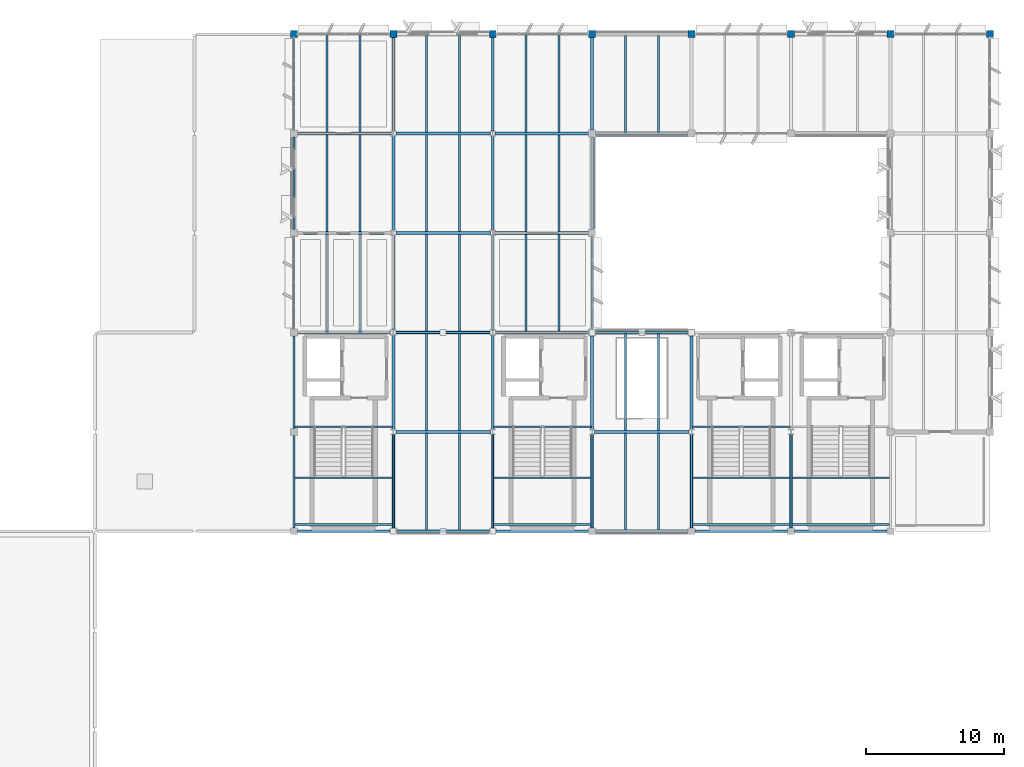
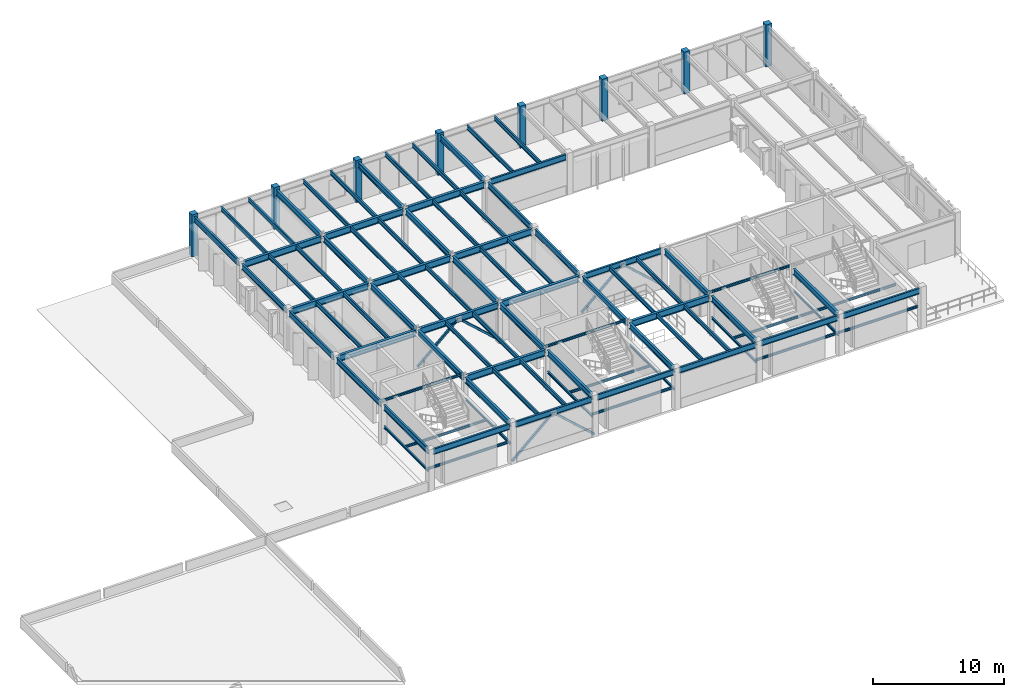
# One storey, part 3 of 23: 87 beams, 8 columns, 6 members.
"""IFC4 building model written with IfcOpenShell, lengths in metres."""

from ifc_helpers import new_model, si_unit, direction, frame, origin, origin_2d, place, context, subcontext, project, spatial, rectangle, hollow_rectangle, i_section, extrude, material, material_profile, profile_set, type_object, element, save


model = new_model("IFC4")

# Units and contexts
model_context = context("Model", 3, precision=1e-05, world=origin(), true_north=direction((0.0, 1.0)))
body_context = subcontext(model_context, "Body", "Model", "MODEL_VIEW")
ifc_project = project(units=[si_unit("LENGTHUNIT", "METRE"), si_unit("AREAUNIT", "SQUARE_METRE"), si_unit("VOLUMEUNIT", "CUBIC_METRE"), si_unit("PLANEANGLEUNIT", "RADIAN"), si_unit("MASSUNIT", "GRAM", prefix="KILO")], contexts=[model_context])

# Site, building, storey
site_placement = place(None, origin())
site = spatial("IfcSite", under=ifc_project, at=site_placement, CompositionType="ELEMENT")
building_placement = place(site_placement, origin())
building = spatial("IfcBuilding", under=site, at=building_placement, Name="Sillqori Civic Hall", CompositionType="ELEMENT")
storey_placement = place(building_placement, frame((0.0, 0.0, 21.89990234375)))
storey = spatial("IfcBuildingStorey", under=building, at=storey_placement, Name="L06", CompositionType="ELEMENT", Elevation=21.89990234375)

# Columns
ifc_material_1 = material(Name="Concrete C35/45 (H35)", Category="concrete")
ifc_material_profile_1 = material_profile(ifc_material_1, rectangle(XDim=0.5, YDim=0.5, at=origin_2d()), Name="RC 500x500")
ifc_profile_set_1 = profile_set([ifc_material_profile_1], Name="Concrete C35/45 (H35)")
column_type = type_object("IfcColumnType", Name="COL-RC500", PredefinedType="COLUMN", material=ifc_profile_set_1)
for number, where, z_axis, x_axis, name in (
    (1, (50.39990234375, 115.199951171875, 0.0), (0.0, 0.0, 1.0), (1.0, 0.0, 0.0), "L06 column 7-16"),
    (2, (57.60009765625, 115.199951171875, 0.0), (0.0, 0.0, 1.0), (1.0, 0.0, 0.0), "L06 column 8-16"),
    (3, (64.800048828125, 115.199951171875, 0.0), (0.0, 0.0, 1.0), (1.0, 0.0, 0.0), "L06 column 9-16"),
    (4, (72.0, 115.199951171875, 0.0), (0.0, 0.0, 1.0), (1.0, 0.0, 0.0), "L06 column 10-16"),
    (5, (79.199951171875, 115.199951171875, 0.0), (0.0, 0.0, 1.0), (1.0, 0.0, 0.0), "L06 column 11-16"),
    (6, (86.39990234375, 115.199951171875, 0.0), (0.0, 0.0, 1.0), (1.0, 0.0, 0.0), "L06 column 12-16"),
    (7, (93.60009765625, 115.199951171875, 0.0), (0.0, 0.0, 1.0), (1.0, 0.0, 0.0), "L06 column 13-16"),
    (8, (100.800048828125, 115.199951171875, 0.0), (0.0, 0.0, 1.0), (1.0, 0.0, 0.0), "L06 column 14-16"),
):
    element("IfcColumn", number, at=place(storey_placement, frame(where, z_axis=z_axis, x_axis=x_axis)), inside=storey, type_object=column_type, Name=name, PredefinedType="COLUMN", context=body_context, shape_type="SweptSolid", body=[
        extrude(rectangle(XDim=0.5, YDim=0.5, at=origin_2d()), origin(), (0.0, 0.0, 1.0), 3.900146484375),
    ])

# Beams
ifc_material_2 = material(Name="Steel ASTM A992", Category="steel")
ifc_material_profile_2 = material_profile(ifc_material_2, i_section(OverallWidth=0.2099609375, OverallDepth=0.532958984375, WebThickness=0.01025390625, FlangeThickness=0.015625, FilletRadius=0.013916015625, at=origin_2d()), Name="W21X62")
ifc_profile_set_2 = profile_set([ifc_material_profile_2], Name="Steel ASTM A992")
beam_type_1 = type_object("IfcBeamType", Name="BM-W21X62", PredefinedType="BEAM", material=ifc_profile_set_2)
beam_1_placement = place(storey_placement, frame((57.60009765625, 79.444091796875, 3.45361328125), z_axis=(0.0, 1.0, 0.0), x_axis=(-1.0, 0.0, 0.0)))
element("IfcBeam", 9, at=beam_1_placement, inside=storey, type_object=beam_type_1, Name="L06 girder Y 8-11", PredefinedType="BEAM", context=body_context, shape_type="SweptSolid", body=[
    extrude(i_section(OverallWidth=0.2099609375, OverallDepth=0.532958984375, WebThickness=0.01025390625, FlangeThickness=0.015625, FilletRadius=0.013916015625, at=origin_2d()), origin(), (0.0, 0.0, 1.0), 6.781494140625),
])
for number, where, z_axis, x_axis, name in (
    (10, (57.60009765625, 86.574462890625, 3.45361328125), (0.0, 1.0, 0.0), (-1.0, 0.0, 0.0), "L06 girder Y 8-12"),
    (11, (57.60009765625, 93.7744140625, 3.43359375), (0.0, 1.0, 0.0), (-1.0, 0.0, 0.0), "L06 girder Y 8-13"),
):
    element("IfcBeam", number, at=place(storey_placement, frame(where, z_axis=z_axis, x_axis=x_axis)), inside=storey, type_object=beam_type_1, Name=name, PredefinedType="BEAM", context=body_context, shape_type="SweptSolid", body=[
        extrude(i_section(OverallWidth=0.2099609375, OverallDepth=0.532958984375, WebThickness=0.01025390625, FlangeThickness=0.015625, FilletRadius=0.013916015625, at=origin_2d()), origin(), (0.0, 0.0, 1.0), 6.85107421875),
    ])
beam_2_placement = place(storey_placement, frame((57.60009765625, 100.974609375, 3.43359375), z_axis=(0.0, 1.0, 0.0), x_axis=(-1.0, 0.0, 0.0)))
element("IfcBeam", 12, at=beam_2_placement, inside=storey, type_object=beam_type_1, Name="L06 girder Y 8-14", PredefinedType="BEAM", context=body_context, shape_type="SweptSolid", body=[
    extrude(i_section(OverallWidth=0.2099609375, OverallDepth=0.532958984375, WebThickness=0.01025390625, FlangeThickness=0.015625, FilletRadius=0.013916015625, at=origin_2d()), origin(), (0.0, 0.0, 1.0), 6.850830078125),
])
for number, where, z_axis, x_axis, name in (
    (13, (57.60009765625, 108.174560546875, 3.43359375), (0.0, 1.0, 0.0), (-1.0, 0.0, 0.0), "L06 girder Y 8-15"),
    (14, (64.800048828125, 79.444091796875, 3.45361328125), (0.0, 1.0, 0.0), (-1.0, 0.0, 0.0), "L06 girder Y 9-11"),
):
    element("IfcBeam", number, at=place(storey_placement, frame(where, z_axis=z_axis, x_axis=x_axis)), inside=storey, type_object=beam_type_1, Name=name, PredefinedType="BEAM", context=body_context, shape_type="SweptSolid", body=[
        extrude(i_section(OverallWidth=0.2099609375, OverallDepth=0.532958984375, WebThickness=0.01025390625, FlangeThickness=0.015625, FilletRadius=0.013916015625, at=origin_2d()), origin(), (0.0, 0.0, 1.0), 6.781494140625),
    ])
for number, where, z_axis, x_axis, name in (
    (15, (64.800048828125, 86.574462890625, 3.45361328125), (0.0, 1.0, 0.0), (-1.0, 0.0, 0.0), "L06 girder Y 9-12"),
    (16, (64.800048828125, 93.7744140625, 3.45361328125), (0.0, 1.0, 0.0), (-1.0, 0.0, 0.0), "L06 girder Y 9-13"),
):
    element("IfcBeam", number, at=place(storey_placement, frame(where, z_axis=z_axis, x_axis=x_axis)), inside=storey, type_object=beam_type_1, Name=name, PredefinedType="BEAM", context=body_context, shape_type="SweptSolid", body=[
        extrude(i_section(OverallWidth=0.2099609375, OverallDepth=0.532958984375, WebThickness=0.01025390625, FlangeThickness=0.015625, FilletRadius=0.013916015625, at=origin_2d()), origin(), (0.0, 0.0, 1.0), 6.85107421875),
    ])
beam_3_placement = place(storey_placement, frame((64.800048828125, 100.974609375, 3.45361328125), z_axis=(0.0, 1.0, 0.0), x_axis=(-1.0, 0.0, 0.0)))
element("IfcBeam", 17, at=beam_3_placement, inside=storey, type_object=beam_type_1, Name="L06 girder Y 9-14", PredefinedType="BEAM", context=body_context, shape_type="SweptSolid", body=[
    extrude(i_section(OverallWidth=0.2099609375, OverallDepth=0.532958984375, WebThickness=0.01025390625, FlangeThickness=0.015625, FilletRadius=0.013916015625, at=origin_2d()), origin(), (0.0, 0.0, 1.0), 6.850830078125),
])
for number, where, z_axis, x_axis, name in (
    (18, (64.800048828125, 108.174560546875, 3.45361328125), (0.0, 1.0, 0.0), (-1.0, 0.0, 0.0), "L06 girder Y 9-15"),
    (19, (72.0, 79.444091796875, 3.45361328125), (0.0, 1.0, 0.0), (-1.0, 0.0, 0.0), "L06 girder Y 10-11"),
    (20, (72.0, 86.574462890625, 3.45361328125), (0.0, 1.0, 0.0), (-1.0, 0.0, 0.0), "L06 girder Y 10-12"),
):
    element("IfcBeam", number, at=place(storey_placement, frame(where, z_axis=z_axis, x_axis=x_axis)), inside=storey, type_object=beam_type_1, Name=name, PredefinedType="BEAM", context=body_context, shape_type="SweptSolid", body=[
        extrude(i_section(OverallWidth=0.2099609375, OverallDepth=0.532958984375, WebThickness=0.01025390625, FlangeThickness=0.015625, FilletRadius=0.013916015625, at=origin_2d()), origin(), (0.0, 0.0, 1.0), 6.781494140625),
    ])
beam_4_placement = place(storey_placement, frame((72.0, 108.243896484375, 3.45361328125), z_axis=(0.0, 1.0, 0.0), x_axis=(-1.0, 0.0, 0.0)))
element("IfcBeam", 21, at=beam_4_placement, inside=storey, type_object=beam_type_1, Name="L06 girder Y 10-15", PredefinedType="BEAM", context=body_context, shape_type="SweptSolid", body=[
    extrude(i_section(OverallWidth=0.2099609375, OverallDepth=0.532958984375, WebThickness=0.01025390625, FlangeThickness=0.015625, FilletRadius=0.013916015625, at=origin_2d()), origin(), (0.0, 0.0, 1.0), 6.712158203125),
])
for number, where, z_axis, x_axis, name in (
    (22, (79.199951171875, 79.444091796875, 3.45361328125), (0.0, 1.0, 0.0), (-1.0, 0.0, 0.0), "L06 girder Y 11-11"),
    (23, (79.199951171875, 86.574462890625, 3.45361328125), (0.0, 1.0, 0.0), (-1.0, 0.0, 0.0), "L06 girder Y 11-12"),
    (24, (86.39990234375, 79.444091796875, 3.45361328125), (0.0, 1.0, 0.0), (-1.0, 0.0, 0.0), "L06 girder Y 12-11"),
):
    element("IfcBeam", number, at=place(storey_placement, frame(where, z_axis=z_axis, x_axis=x_axis)), inside=storey, type_object=beam_type_1, Name=name, PredefinedType="BEAM", context=body_context, shape_type="SweptSolid", body=[
        extrude(i_section(OverallWidth=0.2099609375, OverallDepth=0.532958984375, WebThickness=0.01025390625, FlangeThickness=0.015625, FilletRadius=0.013916015625, at=origin_2d()), origin(), (0.0, 0.0, 1.0), 6.781494140625),
    ])
ifc_material_profile_3 = material_profile(ifc_material_2, i_section(OverallWidth=0.22802734375, OverallDepth=0.60205078125, WebThickness=0.010498046875, FlangeThickness=0.014892578125, FilletRadius=0.014892578125, at=origin_2d()), Name="W24X68")
ifc_profile_set_3 = profile_set([ifc_material_profile_3], Name="Steel ASTM A992")
beam_type_2 = type_object("IfcBeamType", Name="BM-W24X68", PredefinedType="BEAM", material=ifc_profile_set_3)
for number, where, z_axis, x_axis, name in (
    (25, (50.64404296875, 93.60009765625, 3.399169921875), (1.0, 0.0, 0.0), (0.0, 1.0, 0.0), "L06 girder X 7-13"),
    (26, (50.64404296875, 100.800048828125, 3.399169921875), (1.0, 0.0, 0.0), (0.0, 1.0, 0.0), "L06 girder X 7-14"),
    (27, (50.64404296875, 108.0, 3.399169921875), (1.0, 0.0, 0.0), (0.0, 1.0, 0.0), "L06 girder X 7-15"),
):
    element("IfcBeam", number, at=place(storey_placement, frame(where, z_axis=z_axis, x_axis=x_axis)), inside=storey, type_object=beam_type_2, Name=name, PredefinedType="BEAM", context=body_context, shape_type="SweptSolid", body=[
        extrude(i_section(OverallWidth=0.22802734375, OverallDepth=0.60205078125, WebThickness=0.010498046875, FlangeThickness=0.014892578125, FilletRadius=0.014892578125, at=origin_2d()), origin(), (0.0, 0.0, 1.0), 6.7763671875),
    ])
for number, where, z_axis, x_axis, name in (
    (28, (57.779541015625, 86.39990234375, 3.419189453125), (1.0, 0.0, 0.0), (0.0, 1.0, 0.0), "L06 girder X 8-12"),
    (29, (57.779541015625, 93.60009765625, 3.419189453125), (1.0, 0.0, 0.0), (0.0, 1.0, 0.0), "L06 girder X 8-13"),
    (30, (57.779541015625, 100.800048828125, 3.419189453125), (1.0, 0.0, 0.0), (0.0, 1.0, 0.0), "L06 girder X 8-14"),
    (31, (57.779541015625, 108.0, 3.419189453125), (1.0, 0.0, 0.0), (0.0, 1.0, 0.0), "L06 girder X 8-15"),
):
    element("IfcBeam", number, at=place(storey_placement, frame(where, z_axis=z_axis, x_axis=x_axis)), inside=storey, type_object=beam_type_2, Name=name, PredefinedType="BEAM", context=body_context, shape_type="SweptSolid", body=[
        extrude(i_section(OverallWidth=0.22802734375, OverallDepth=0.60205078125, WebThickness=0.010498046875, FlangeThickness=0.014892578125, FilletRadius=0.014892578125, at=origin_2d()), origin(), (0.0, 0.0, 1.0), 6.841064453125),
    ])
for number, where, z_axis, x_axis, name in (
    (32, (64.9794921875, 93.60009765625, 3.419189453125), (1.0, 0.0, 0.0), (0.0, 1.0, 0.0), "L06 girder X 9-13"),
    (33, (64.9794921875, 100.800048828125, 3.419189453125), (1.0, 0.0, 0.0), (0.0, 1.0, 0.0), "L06 girder X 9-14"),
    (34, (64.9794921875, 108.0, 3.419189453125), (1.0, 0.0, 0.0), (0.0, 1.0, 0.0), "L06 girder X 9-15"),
):
    element("IfcBeam", number, at=place(storey_placement, frame(where, z_axis=z_axis, x_axis=x_axis)), inside=storey, type_object=beam_type_2, Name=name, PredefinedType="BEAM", context=body_context, shape_type="SweptSolid", body=[
        extrude(i_section(OverallWidth=0.22802734375, OverallDepth=0.60205078125, WebThickness=0.010498046875, FlangeThickness=0.014892578125, FilletRadius=0.014892578125, at=origin_2d()), origin(), (0.0, 0.0, 1.0), 6.776611328125),
    ])
beam_5_placement = place(storey_placement, frame((72.179443359375, 86.39990234375, 3.419189453125), z_axis=(1.0, 0.0, 0.0), x_axis=(0.0, 1.0, 0.0)))
element("IfcBeam", 35, at=beam_5_placement, inside=storey, type_object=beam_type_2, Name="L06 girder X 10-12", PredefinedType="BEAM", context=body_context, shape_type="SweptSolid", body=[
    extrude(i_section(OverallWidth=0.22802734375, OverallDepth=0.60205078125, WebThickness=0.010498046875, FlangeThickness=0.014892578125, FilletRadius=0.014892578125, at=origin_2d()), origin(), (0.0, 0.0, 1.0), 6.841064453125),
])

# Members
ifc_material_3 = material(Name="Steel ASTM A500 Grade C", Category="steel")
ifc_material_profile_4 = material_profile(ifc_material_3, hollow_rectangle(XDim=0.179931640625, YDim=0.179931640625, WallThickness=0.008056640625, InnerFilletRadius=0.008056640625, OuterFilletRadius=0.01611328125, at=origin_2d()), Name="HSS180X180X8")
ifc_profile_set_4 = profile_set([ifc_material_profile_4], Name="Steel ASTM A500 Grade C")
member_type = type_object("IfcMemberType", Name="BR-HSS180", PredefinedType="BRACE", material=ifc_profile_set_4)
member_1_placement = place(storey_placement, frame((57.60009765625, 79.199951171875, 0.150146484375), z_axis=(0.742254478498, 0.0, 0.67011811582), x_axis=(0.0, 1.0, 0.0)))
element("IfcMember", 36, at=member_1_placement, inside=storey, type_object=member_type, Name="L06 seismic chevron brace L X11-8", PredefinedType="BRACE", context=body_context, shape_type="SweptSolid", body=[
    extrude(hollow_rectangle(XDim=0.179931640625, YDim=0.179931640625, WallThickness=0.008056640625, InnerFilletRadius=0.008056640625, OuterFilletRadius=0.01611328125, at=origin_2d()), origin(), (0.0, 0.0, 1.0), 4.849853515625),
])
member_2_placement = place(storey_placement, frame((64.800048828125, 79.199951171875, 0.150146484375), z_axis=(-0.742277082557, 0.0, 0.670093077648), x_axis=(0.0, -1.0, 0.0)))
element("IfcMember", 37, at=member_2_placement, inside=storey, type_object=member_type, Name="L06 seismic chevron brace R X11-8", PredefinedType="BRACE", context=body_context, shape_type="SweptSolid", body=[
    extrude(hollow_rectangle(XDim=0.179931640625, YDim=0.179931640625, WallThickness=0.008056640625, InnerFilletRadius=0.008056640625, OuterFilletRadius=0.01611328125, at=origin_2d()), origin(), (0.0, 0.0, 1.0), 4.85009765625),
])
member_3_placement = place(storey_placement, frame((57.60009765625, 93.60009765625, 0.150146484375), z_axis=(0.742254478498, 0.0, 0.67011811582), x_axis=(0.0, 1.0, 0.0)))
element("IfcMember", 38, at=member_3_placement, inside=storey, type_object=member_type, Name="L06 seismic chevron brace L X13-8", PredefinedType="BRACE", context=body_context, shape_type="SweptSolid", body=[
    extrude(hollow_rectangle(XDim=0.179931640625, YDim=0.179931640625, WallThickness=0.008056640625, InnerFilletRadius=0.008056640625, OuterFilletRadius=0.01611328125, at=origin_2d()), origin(), (0.0, 0.0, 1.0), 4.849853515625),
])
for number, where, z_axis, x_axis, name in (
    (39, (64.800048828125, 93.60009765625, 0.150146484375), (-0.742277082557, 0.0, 0.670093077648), (0.0, -1.0, 0.0), "L06 seismic chevron brace R X13-8"),
    (40, (72.0, 93.60009765625, 0.150146484375), (0.742277082557, 0.0, 0.670093077648), (0.0, 1.0, 0.0), "L06 seismic chevron brace L X13-10"),
):
    element("IfcMember", number, at=place(storey_placement, frame(where, z_axis=z_axis, x_axis=x_axis)), inside=storey, type_object=member_type, Name=name, PredefinedType="BRACE", context=body_context, shape_type="SweptSolid", body=[
        extrude(hollow_rectangle(XDim=0.179931640625, YDim=0.179931640625, WallThickness=0.008056640625, InnerFilletRadius=0.008056640625, OuterFilletRadius=0.01611328125, at=origin_2d()), origin(), (0.0, 0.0, 1.0), 4.85009765625),
    ])
member_4_placement = place(storey_placement, frame((79.199951171875, 93.60009765625, 0.150146484375), z_axis=(-0.742254478498, 0.0, 0.67011811582), x_axis=(0.0, -1.0, 0.0)))
element("IfcMember", 41, at=member_4_placement, inside=storey, type_object=member_type, Name="L06 seismic chevron brace R X13-10", PredefinedType="BRACE", context=body_context, shape_type="SweptSolid", body=[
    extrude(hollow_rectangle(XDim=0.179931640625, YDim=0.179931640625, WallThickness=0.008056640625, InnerFilletRadius=0.008056640625, OuterFilletRadius=0.01611328125, at=origin_2d()), origin(), (0.0, 0.0, 1.0), 4.849853515625),
])

# Beams
ifc_material_profile_5 = material_profile(ifc_material_2, i_section(OverallWidth=0.139892578125, OverallDepth=0.39892578125, WebThickness=0.00634765625, FlangeThickness=0.0087890625, FilletRadius=0.011962890625, at=origin_2d()), Name="W16X26")
ifc_profile_set_5 = profile_set([ifc_material_profile_5], Name="Steel ASTM A992")
beam_type_3 = type_object("IfcBeamType", Name="JS-W16X26", PredefinedType="JOIST", material=ifc_profile_set_5)
for number, where, z_axis, x_axis, name in (
    (42, (52.800048828125, 93.695068359375, 3.50048828125), (0.0, 1.0, 0.0), (-1.0, 0.0, 0.0), "L06 composite joist 7-13.1"),
    (43, (55.199951171875, 93.695068359375, 3.50048828125), (0.0, 1.0, 0.0), (-1.0, 0.0, 0.0), "L06 composite joist 7-13.2"),
    (44, (52.800048828125, 100.89501953125, 3.50048828125), (0.0, 1.0, 0.0), (-1.0, 0.0, 0.0), "L06 composite joist 7-14.1"),
    (45, (55.199951171875, 100.89501953125, 3.50048828125), (0.0, 1.0, 0.0), (-1.0, 0.0, 0.0), "L06 composite joist 7-14.2"),
    (46, (52.800048828125, 108.094970703125, 3.50048828125), (0.0, 1.0, 0.0), (-1.0, 0.0, 0.0), "L06 composite joist 7-15.1"),
    (47, (55.199951171875, 108.094970703125, 3.50048828125), (0.0, 1.0, 0.0), (-1.0, 0.0, 0.0), "L06 composite joist 7-15.2"),
    (48, (60.0, 79.294921875, 3.5205078125), (0.0, 1.0, 0.0), (-1.0, 0.0, 0.0), "L06 composite joist 8-11.1"),
    (49, (62.39990234375, 79.294921875, 3.5205078125), (0.0, 1.0, 0.0), (-1.0, 0.0, 0.0), "L06 composite joist 8-11.2"),
):
    element("IfcBeam", number, at=place(storey_placement, frame(where, z_axis=z_axis, x_axis=x_axis)), inside=storey, type_object=beam_type_3, Name=name, PredefinedType="JOIST", context=body_context, shape_type="SweptSolid", body=[
        extrude(i_section(OverallWidth=0.139892578125, OverallDepth=0.39892578125, WebThickness=0.00634765625, FlangeThickness=0.0087890625, FilletRadius=0.011962890625, at=origin_2d()), origin(), (0.0, 0.0, 1.0), 7.010009765625),
    ])
for number, where, z_axis, x_axis, name in (
    (50, (60.0, 86.4951171875, 3.5205078125), (0.0, 1.0, 0.0), (-1.0, 0.0, 0.0), "L06 composite joist 8-12.1"),
    (51, (62.39990234375, 86.4951171875, 3.5205078125), (0.0, 1.0, 0.0), (-1.0, 0.0, 0.0), "L06 composite joist 8-12.2"),
):
    element("IfcBeam", number, at=place(storey_placement, frame(where, z_axis=z_axis, x_axis=x_axis)), inside=storey, type_object=beam_type_3, Name=name, PredefinedType="JOIST", context=body_context, shape_type="SweptSolid", body=[
        extrude(i_section(OverallWidth=0.139892578125, OverallDepth=0.39892578125, WebThickness=0.00634765625, FlangeThickness=0.0087890625, FilletRadius=0.011962890625, at=origin_2d()), origin(), (0.0, 0.0, 1.0), 7.009765625),
    ])
for number, where, z_axis, x_axis, name in (
    (52, (60.0, 93.695068359375, 3.5205078125), (0.0, 1.0, 0.0), (-1.0, 0.0, 0.0), "L06 composite joist 8-13.1"),
    (53, (62.39990234375, 93.695068359375, 3.5205078125), (0.0, 1.0, 0.0), (-1.0, 0.0, 0.0), "L06 composite joist 8-13.2"),
    (54, (60.0, 100.89501953125, 3.5205078125), (0.0, 1.0, 0.0), (-1.0, 0.0, 0.0), "L06 composite joist 8-14.1"),
    (55, (62.39990234375, 100.89501953125, 3.5205078125), (0.0, 1.0, 0.0), (-1.0, 0.0, 0.0), "L06 composite joist 8-14.2"),
    (56, (60.0, 108.094970703125, 3.5205078125), (0.0, 1.0, 0.0), (-1.0, 0.0, 0.0), "L06 composite joist 8-15.1"),
    (57, (62.39990234375, 108.094970703125, 3.5205078125), (0.0, 1.0, 0.0), (-1.0, 0.0, 0.0), "L06 composite joist 8-15.2"),
    (58, (67.199951171875, 93.695068359375, 3.5205078125), (0.0, 1.0, 0.0), (-1.0, 0.0, 0.0), "L06 composite joist 9-13.1"),
    (59, (69.60009765625, 93.695068359375, 3.5205078125), (0.0, 1.0, 0.0), (-1.0, 0.0, 0.0), "L06 composite joist 9-13.2"),
    (60, (67.199951171875, 100.89501953125, 3.5205078125), (0.0, 1.0, 0.0), (-1.0, 0.0, 0.0), "L06 composite joist 9-14.1"),
    (61, (69.60009765625, 100.89501953125, 3.5205078125), (0.0, 1.0, 0.0), (-1.0, 0.0, 0.0), "L06 composite joist 9-14.2"),
    (62, (67.199951171875, 108.094970703125, 3.5205078125), (0.0, 1.0, 0.0), (-1.0, 0.0, 0.0), "L06 composite joist 9-15.1"),
    (63, (69.60009765625, 108.094970703125, 3.5205078125), (0.0, 1.0, 0.0), (-1.0, 0.0, 0.0), "L06 composite joist 9-15.2"),
    (64, (74.39990234375, 79.294921875, 3.5205078125), (0.0, 1.0, 0.0), (-1.0, 0.0, 0.0), "L06 composite joist 10-11.1"),
    (65, (76.800048828125, 79.294921875, 3.5205078125), (0.0, 1.0, 0.0), (-1.0, 0.0, 0.0), "L06 composite joist 10-11.2"),
):
    element("IfcBeam", number, at=place(storey_placement, frame(where, z_axis=z_axis, x_axis=x_axis)), inside=storey, type_object=beam_type_3, Name=name, PredefinedType="JOIST", context=body_context, shape_type="SweptSolid", body=[
        extrude(i_section(OverallWidth=0.139892578125, OverallDepth=0.39892578125, WebThickness=0.00634765625, FlangeThickness=0.0087890625, FilletRadius=0.011962890625, at=origin_2d()), origin(), (0.0, 0.0, 1.0), 7.010009765625),
    ])
for number, where, z_axis, x_axis, name in (
    (66, (74.39990234375, 86.4951171875, 3.5205078125), (0.0, 1.0, 0.0), (-1.0, 0.0, 0.0), "L06 composite joist 10-12.1"),
    (67, (76.800048828125, 86.4951171875, 3.5205078125), (0.0, 1.0, 0.0), (-1.0, 0.0, 0.0), "L06 composite joist 10-12.2"),
):
    element("IfcBeam", number, at=place(storey_placement, frame(where, z_axis=z_axis, x_axis=x_axis)), inside=storey, type_object=beam_type_3, Name=name, PredefinedType="JOIST", context=body_context, shape_type="SweptSolid", body=[
        extrude(i_section(OverallWidth=0.139892578125, OverallDepth=0.39892578125, WebThickness=0.00634765625, FlangeThickness=0.0087890625, FilletRadius=0.011962890625, at=origin_2d()), origin(), (0.0, 0.0, 1.0), 7.009765625),
    ])
for number, where, z_axis, x_axis, name in (
    (68, (74.39990234375, 108.094970703125, 3.5205078125), (0.0, 1.0, 0.0), (-1.0, 0.0, 0.0), "L06 composite joist 10-15.1"),
    (69, (76.800048828125, 108.094970703125, 3.5205078125), (0.0, 1.0, 0.0), (-1.0, 0.0, 0.0), "L06 composite joist 10-15.2"),
):
    element("IfcBeam", number, at=place(storey_placement, frame(where, z_axis=z_axis, x_axis=x_axis)), inside=storey, type_object=beam_type_3, Name=name, PredefinedType="JOIST", context=body_context, shape_type="SweptSolid", body=[
        extrude(i_section(OverallWidth=0.139892578125, OverallDepth=0.39892578125, WebThickness=0.00634765625, FlangeThickness=0.0087890625, FilletRadius=0.011962890625, at=origin_2d()), origin(), (0.0, 0.0, 1.0), 7.010009765625),
    ])
ifc_material_profile_6 = material_profile(ifc_material_2, i_section(OverallWidth=0.133056640625, OverallDepth=0.20703125, WebThickness=0.005859375, FlangeThickness=0.00830078125, FilletRadius=0.008056640625, at=origin_2d()), Name="W8X18")
ifc_profile_set_6 = profile_set([ifc_material_profile_6], Name="Steel ASTM A992")
beam_type_4 = type_object("IfcBeamType", Name="LN-W8X18", PredefinedType="LINTEL", material=ifc_profile_set_6)
beam_6_placement = place(storey_placement, frame((50.39990234375, 79.444091796875, 1.632568359375), z_axis=(0.0, 1.0, 0.0), x_axis=(-1.0, 0.0, 0.0)))
element("IfcBeam", 70, at=beam_6_placement, inside=storey, type_object=beam_type_4, Name="L06 grid 7 stair landing stringer 1", PredefinedType="LINTEL", context=body_context, shape_type="SweptSolid", body=[
    extrude(i_section(OverallWidth=0.133056640625, OverallDepth=0.20703125, WebThickness=0.005859375, FlangeThickness=0.00830078125, FilletRadius=0.008056640625, at=origin_2d()), origin(), (0.0, 0.0, 1.0), 6.7119140625),
])
beam_7_placement = place(storey_placement, frame((57.60009765625, 79.444091796875, 1.632568359375), z_axis=(0.0, 1.0, 0.0), x_axis=(-1.0, 0.0, 0.0)))
element("IfcBeam", 71, at=beam_7_placement, inside=storey, type_object=beam_type_4, Name="L06 grid 8 stair landing stringer 1", PredefinedType="LINTEL", context=body_context, shape_type="SweptSolid", body=[
    extrude(i_section(OverallWidth=0.133056640625, OverallDepth=0.20703125, WebThickness=0.005859375, FlangeThickness=0.00830078125, FilletRadius=0.008056640625, at=origin_2d()), origin(), (0.0, 0.0, 1.0), 6.781494140625),
])
for number, where, z_axis, x_axis, name in (
    (72, (50.449951171875, 79.695068359375, 1.632568359375), (1.0, 0.0, 0.0), (0.0, 1.0, 0.0), "L06 C5 stair half-landing steel ledger 1.1"),
    (73, (50.449951171875, 83.070068359375, 1.632568359375), (1.0, 0.0, 0.0), (0.0, 1.0, 0.0), "L06 C5 stair half-landing steel ledger 1.2"),
    (74, (50.449951171875, 86.77001953125, 3.62255859375), (1.0, 0.0, 0.0), (0.0, 1.0, 0.0), "L06 C5 stair upper arrival steel trimmer"),
):
    element("IfcBeam", number, at=place(storey_placement, frame(where, z_axis=z_axis, x_axis=x_axis)), inside=storey, type_object=beam_type_4, Name=name, PredefinedType="LINTEL", context=body_context, shape_type="SweptSolid", body=[
        extrude(i_section(OverallWidth=0.133056640625, OverallDepth=0.20703125, WebThickness=0.005859375, FlangeThickness=0.00830078125, FilletRadius=0.008056640625, at=origin_2d()), origin(), (0.0, 0.0, 1.0), 7.10009765625),
    ])
for number, where, z_axis, x_axis, name in (
    (75, (64.800048828125, 79.444091796875, 1.632568359375), (0.0, 1.0, 0.0), (-1.0, 0.0, 0.0), "L06 grid 9 stair landing stringer 1"),
    (76, (72.0, 79.444091796875, 1.632568359375), (0.0, 1.0, 0.0), (-1.0, 0.0, 0.0), "L06 grid 10 stair landing stringer 1"),
):
    element("IfcBeam", number, at=place(storey_placement, frame(where, z_axis=z_axis, x_axis=x_axis)), inside=storey, type_object=beam_type_4, Name=name, PredefinedType="LINTEL", context=body_context, shape_type="SweptSolid", body=[
        extrude(i_section(OverallWidth=0.133056640625, OverallDepth=0.20703125, WebThickness=0.005859375, FlangeThickness=0.00830078125, FilletRadius=0.008056640625, at=origin_2d()), origin(), (0.0, 0.0, 1.0), 6.781494140625),
    ])
for number, where, z_axis, x_axis, name in (
    (77, (64.85009765625, 79.695068359375, 1.632568359375), (1.0, 0.0, 0.0), (0.0, 1.0, 0.0), "L06 C6 stair half-landing steel ledger 1.1"),
    (78, (64.85009765625, 83.070068359375, 1.632568359375), (1.0, 0.0, 0.0), (0.0, 1.0, 0.0), "L06 C6 stair half-landing steel ledger 1.2"),
    (79, (64.85009765625, 86.77001953125, 3.62255859375), (1.0, 0.0, 0.0), (0.0, 1.0, 0.0), "L06 C6 stair upper arrival steel trimmer"),
):
    element("IfcBeam", number, at=place(storey_placement, frame(where, z_axis=z_axis, x_axis=x_axis)), inside=storey, type_object=beam_type_4, Name=name, PredefinedType="LINTEL", context=body_context, shape_type="SweptSolid", body=[
        extrude(i_section(OverallWidth=0.133056640625, OverallDepth=0.20703125, WebThickness=0.005859375, FlangeThickness=0.00830078125, FilletRadius=0.008056640625, at=origin_2d()), origin(), (0.0, 0.0, 1.0), 7.099853515625),
    ])
for number, where, z_axis, x_axis, name in (
    (80, (79.199951171875, 79.444091796875, 1.632568359375), (0.0, 1.0, 0.0), (-1.0, 0.0, 0.0), "L06 grid 11 stair landing stringer 1"),
    (81, (86.39990234375, 79.444091796875, 1.632568359375), (0.0, 1.0, 0.0), (-1.0, 0.0, 0.0), "L06 grid 12 stair landing stringer 1"),
):
    element("IfcBeam", number, at=place(storey_placement, frame(where, z_axis=z_axis, x_axis=x_axis)), inside=storey, type_object=beam_type_4, Name=name, PredefinedType="LINTEL", context=body_context, shape_type="SweptSolid", body=[
        extrude(i_section(OverallWidth=0.133056640625, OverallDepth=0.20703125, WebThickness=0.005859375, FlangeThickness=0.00830078125, FilletRadius=0.008056640625, at=origin_2d()), origin(), (0.0, 0.0, 1.0), 6.781494140625),
    ])
for number, where, z_axis, x_axis, name in (
    (82, (79.25, 79.695068359375, 1.632568359375), (1.0, 0.0, 0.0), (0.0, 1.0, 0.0), "L06 C7 stair half-landing steel ledger 1.1"),
    (83, (79.25, 83.070068359375, 1.632568359375), (1.0, 0.0, 0.0), (0.0, 1.0, 0.0), "L06 C7 stair half-landing steel ledger 1.2"),
    (84, (79.25, 86.77001953125, 3.62255859375), (1.0, 0.0, 0.0), (0.0, 1.0, 0.0), "L06 C7 stair upper arrival steel trimmer"),
    (85, (86.449951171875, 79.695068359375, 1.632568359375), (1.0, 0.0, 0.0), (0.0, 1.0, 0.0), "L06 C8 stair half-landing steel ledger 1.1"),
    (86, (86.449951171875, 83.070068359375, 1.632568359375), (1.0, 0.0, 0.0), (0.0, 1.0, 0.0), "L06 C8 stair half-landing steel ledger 1.2"),
):
    element("IfcBeam", number, at=place(storey_placement, frame(where, z_axis=z_axis, x_axis=x_axis)), inside=storey, type_object=beam_type_4, Name=name, PredefinedType="LINTEL", context=body_context, shape_type="SweptSolid", body=[
        extrude(i_section(OverallWidth=0.133056640625, OverallDepth=0.20703125, WebThickness=0.005859375, FlangeThickness=0.00830078125, FilletRadius=0.008056640625, at=origin_2d()), origin(), (0.0, 0.0, 1.0), 7.10009765625),
    ])
ifc_material_profile_7 = material_profile(ifc_material_2, i_section(OverallWidth=0.166015625, OverallDepth=0.528076171875, WebThickness=0.009765625, FlangeThickness=0.013671875, FilletRadius=0.013916015625, at=origin_2d()), Name="W21X50")
ifc_profile_set_7 = profile_set([ifc_material_profile_7], Name="Steel ASTM A992")
beam_type_5 = type_object("IfcBeamType", Name="SP-W21X50", PredefinedType="SPANDREL", material=ifc_profile_set_7)
for number, where, z_axis, x_axis, name in (
    (87, (50.64404296875, 79.199951171875, 3.4560546875), (1.0, 0.0, 0.0), (0.0, 1.0, 0.0), "L06 girder X 7-11"),
    (88, (57.843994140625, 79.199951171875, 3.4560546875), (1.0, 0.0, 0.0), (0.0, 1.0, 0.0), "L06 girder X 8-11"),
):
    element("IfcBeam", number, at=place(storey_placement, frame(where, z_axis=z_axis, x_axis=x_axis)), inside=storey, type_object=beam_type_5, Name=name, PredefinedType="SPANDREL", context=body_context, shape_type="SweptSolid", body=[
        extrude(i_section(OverallWidth=0.166015625, OverallDepth=0.528076171875, WebThickness=0.009765625, FlangeThickness=0.013671875, FilletRadius=0.013916015625, at=origin_2d()), origin(), (0.0, 0.0, 1.0), 6.7119140625),
    ])
for number, where, z_axis, x_axis, name in (
    (89, (65.0439453125, 79.199951171875, 3.4560546875), (1.0, 0.0, 0.0), (0.0, 1.0, 0.0), "L06 girder X 9-11"),
    (90, (72.243896484375, 79.199951171875, 3.4560546875), (1.0, 0.0, 0.0), (0.0, 1.0, 0.0), "L06 girder X 10-11"),
    (91, (72.243896484375, 93.60009765625, 3.4560546875), (1.0, 0.0, 0.0), (0.0, 1.0, 0.0), "L06 girder X 10-13"),
    (92, (72.243896484375, 108.0, 3.4560546875), (1.0, 0.0, 0.0), (0.0, 1.0, 0.0), "L06 girder X 10-15"),
):
    element("IfcBeam", number, at=place(storey_placement, frame(where, z_axis=z_axis, x_axis=x_axis)), inside=storey, type_object=beam_type_5, Name=name, PredefinedType="SPANDREL", context=body_context, shape_type="SweptSolid", body=[
        extrude(i_section(OverallWidth=0.166015625, OverallDepth=0.528076171875, WebThickness=0.009765625, FlangeThickness=0.013671875, FilletRadius=0.013916015625, at=origin_2d()), origin(), (0.0, 0.0, 1.0), 6.712158203125),
    ])
for number, where, z_axis, x_axis, name in (
    (93, (79.444091796875, 79.199951171875, 3.4560546875), (1.0, 0.0, 0.0), (0.0, 1.0, 0.0), "L06 girder X 11-11"),
    (94, (86.64404296875, 79.199951171875, 3.4560546875), (1.0, 0.0, 0.0), (0.0, 1.0, 0.0), "L06 girder X 12-11"),
    (95, (50.39990234375, 79.444091796875, 3.4560546875), (0.0, 1.0, 0.0), (-1.0, 0.0, 0.0), "L06 girder Y 7-11"),
    (96, (50.39990234375, 86.64404296875, 3.4560546875), (0.0, 1.0, 0.0), (-1.0, 0.0, 0.0), "L06 girder Y 7-12"),
    (97, (50.39990234375, 93.843994140625, 3.43603515625), (0.0, 1.0, 0.0), (-1.0, 0.0, 0.0), "L06 girder Y 7-13"),
):
    element("IfcBeam", number, at=place(storey_placement, frame(where, z_axis=z_axis, x_axis=x_axis)), inside=storey, type_object=beam_type_5, Name=name, PredefinedType="SPANDREL", context=body_context, shape_type="SweptSolid", body=[
        extrude(i_section(OverallWidth=0.166015625, OverallDepth=0.528076171875, WebThickness=0.009765625, FlangeThickness=0.013671875, FilletRadius=0.013916015625, at=origin_2d()), origin(), (0.0, 0.0, 1.0), 6.7119140625),
    ])
for number, where, z_axis, x_axis, name in (
    (98, (50.39990234375, 101.0439453125, 3.43603515625), (0.0, 1.0, 0.0), (-1.0, 0.0, 0.0), "L06 girder Y 7-14"),
    (99, (50.39990234375, 108.243896484375, 3.43603515625), (0.0, 1.0, 0.0), (-1.0, 0.0, 0.0), "L06 girder Y 7-15"),
):
    element("IfcBeam", number, at=place(storey_placement, frame(where, z_axis=z_axis, x_axis=x_axis)), inside=storey, type_object=beam_type_5, Name=name, PredefinedType="SPANDREL", context=body_context, shape_type="SweptSolid", body=[
        extrude(i_section(OverallWidth=0.166015625, OverallDepth=0.528076171875, WebThickness=0.009765625, FlangeThickness=0.013671875, FilletRadius=0.013916015625, at=origin_2d()), origin(), (0.0, 0.0, 1.0), 6.712158203125),
    ])
beam_8_placement = place(storey_placement, frame((72.0, 93.843994140625, 3.4560546875), z_axis=(0.0, 1.0, 0.0), x_axis=(-1.0, 0.0, 0.0)))
element("IfcBeam", 100, at=beam_8_placement, inside=storey, type_object=beam_type_5, Name="L06 girder Y 10-13", PredefinedType="SPANDREL", context=body_context, shape_type="SweptSolid", body=[
    extrude(i_section(OverallWidth=0.166015625, OverallDepth=0.528076171875, WebThickness=0.009765625, FlangeThickness=0.013671875, FilletRadius=0.013916015625, at=origin_2d()), origin(), (0.0, 0.0, 1.0), 6.7119140625),
])
beam_9_placement = place(storey_placement, frame((72.0, 101.0439453125, 3.4560546875), z_axis=(0.0, 1.0, 0.0), x_axis=(-1.0, 0.0, 0.0)))
element("IfcBeam", 101, at=beam_9_placement, inside=storey, type_object=beam_type_5, Name="L06 girder Y 10-14", PredefinedType="SPANDREL", context=body_context, shape_type="SweptSolid", body=[
    extrude(i_section(OverallWidth=0.166015625, OverallDepth=0.528076171875, WebThickness=0.009765625, FlangeThickness=0.013671875, FilletRadius=0.013916015625, at=origin_2d()), origin(), (0.0, 0.0, 1.0), 6.712158203125),
])

save(model, "model.ifc")
